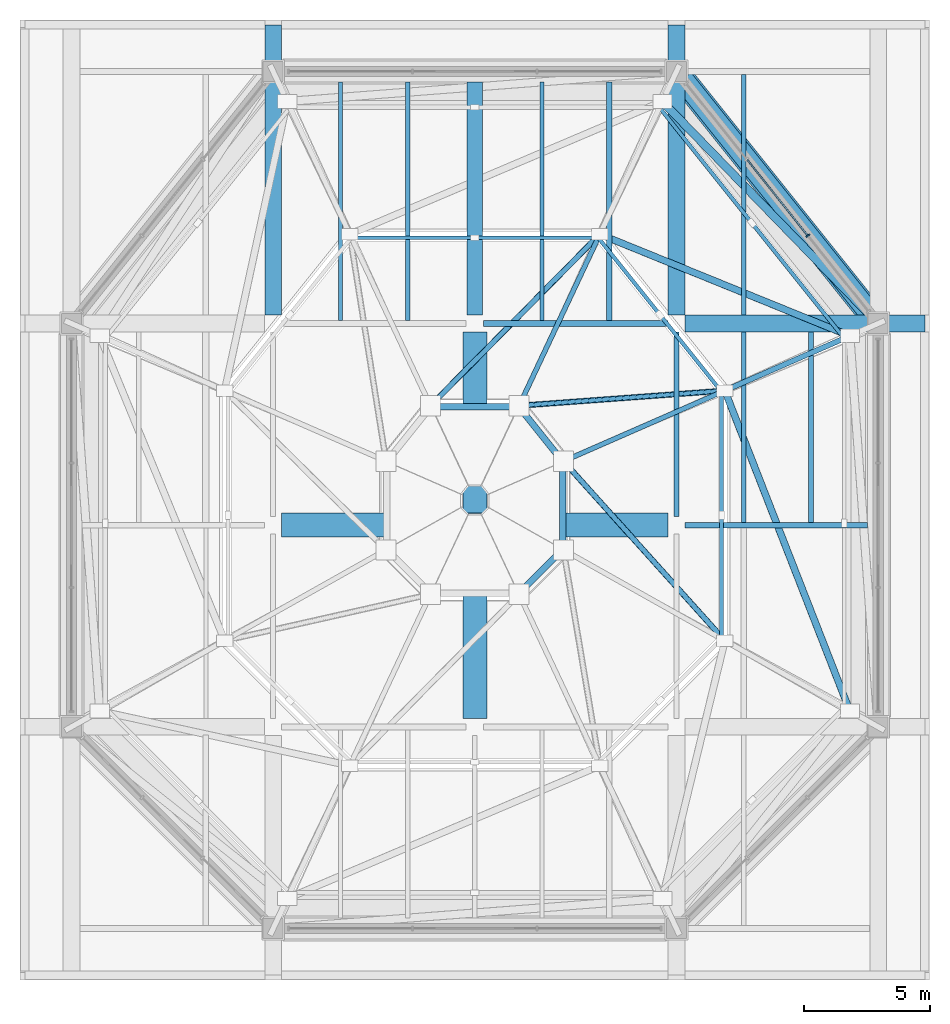
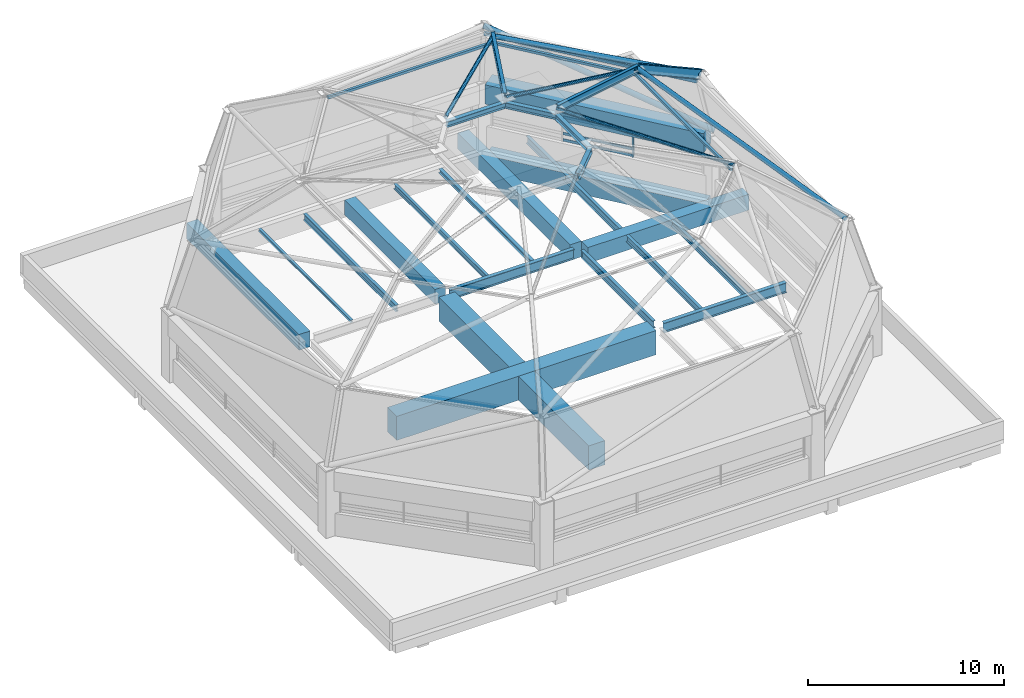
# One storey, part 5 of 10: 22 beams, 17 members, 1 element without a shape of its own.
"""IFC4 building model written with IfcOpenShell, lengths in metres."""

from ifc_helpers import new_model, si_unit, direction, frame, origin, origin_2d, place, context, subcontext, project, spatial, rectangle, hollow_rectangle, hollow_circle, i_section, extrude, material, material_profile, profile_set, type_object, element, aggregate, save


model = new_model("IFC4")

# Units and contexts
model_context = context("Model", 3, precision=1e-05, world=origin(), true_north=direction((0.0, 1.0)))
body_context = subcontext(model_context, "Body", "Model", "MODEL_VIEW")
ifc_project = project(units=[si_unit("LENGTHUNIT", "METRE"), si_unit("AREAUNIT", "SQUARE_METRE"), si_unit("VOLUMEUNIT", "CUBIC_METRE"), si_unit("PLANEANGLEUNIT", "RADIAN"), si_unit("MASSUNIT", "GRAM", prefix="KILO")], contexts=[model_context])

# Site, building, storey
site_placement = place(None, origin())
site = spatial("IfcSite", under=ifc_project, at=site_placement, CompositionType="ELEMENT")
building_placement = place(site_placement, origin())
building = spatial("IfcBuilding", under=site, at=building_placement, Name="Pecanmere Concourse Central Library", CompositionType="ELEMENT")
storey_placement = place(building_placement, frame((0.0, 0.0, 34.800048828125)))
storey = spatial("IfcBuildingStorey", under=building, at=storey_placement, Name="ROOF", CompositionType="ELEMENT", Elevation=34.800048828125)

# Curtain wall, members
ifc_material_1 = material(Name="Anodized bronze aluminium alloy 6063-T6", Category="aluminium")
curtain_wall_type = type_object("IfcCurtainWallType", Name="CW_PORTAL_CLEAR", PredefinedType="USERDEFINED", material=ifc_material_1)
curtain_wall_placement = place(storey_placement, origin())
curtain_wall = element("IfcCurtainWall", 1, at=curtain_wall_placement, inside=storey, type_object=curtain_wall_type, Name="Unitised Curtain Wall CW-03 ROOF-176", ObjectType="UNITISED CURTAIN WALL", PredefinedType="USERDEFINED")
ifc_material_2 = material(Name="Anodized bronze aluminium alloy 6063-T6", Category="aluminium")
ifc_material_profile_1 = material_profile(ifc_material_2, rectangle(XDim=0.06494140625, YDim=0.179931640625, at=origin_2d()), Name="AL 65x180")
ifc_profile_set_1 = profile_set([ifc_material_profile_1], Name="Anodized bronze aluminium alloy 6063-T6")
member_type_1 = type_object("IfcMemberType", Name="CWM_180x65", PredefinedType="MULLION", material=ifc_profile_set_1)
member_1_placement = place(storey_placement, frame((101.212646484375, 117.484375, 1.419921875), z_axis=(0.0, 0.0, 1.0), x_axis=(-0.62469714181, 0.780867134034, 0.0)))
member_1 = element("IfcMember", 2, at=member_1_placement, type_object=member_type_1, Name="CW-03 Mullion 2", PredefinedType="MULLION", context=body_context, shape_type="SweptSolid", body=[
    extrude(rectangle(XDim=0.06494140625, YDim=0.179931640625, at=origin_2d()), origin(), (0.0, 0.0, 1.0), 1.580078125),
])
ifc_material_3 = material(Name="Anodized bronze aluminium alloy 6063-T6", Category="aluminium")
ifc_material_profile_2 = material_profile(ifc_material_3, rectangle(XDim=0.06005859375, YDim=0.159912109375, at=origin_2d()), Name="AL 60x160")
ifc_profile_set_2 = profile_set([ifc_material_profile_2], Name="Anodized bronze aluminium alloy 6063-T6")
member_type_2 = type_object("IfcMemberType", Name="CWT_160x60", PredefinedType="USERDEFINED", material=ifc_profile_set_2)
member_2_placement = place(storey_placement, frame((101.1923828125, 117.509765625, 1.5), z_axis=(-0.624757445177, 0.780818887256, 0.0), x_axis=(-0.780818887256, -0.624757445177, 0.0)))
member_2 = element("IfcMember", 3, at=member_2_placement, type_object=member_type_2, Name="CW-03 Transom 2.1", ObjectType="TRANSOM", PredefinedType="USERDEFINED", context=body_context, shape_type="SweptSolid", body=[
    extrude(rectangle(XDim=0.06005859375, YDim=0.159912109375, at=origin_2d()), origin(), (0.0, 0.0, 1.0), 3.817138671875),
])
member_3_placement = place(storey_placement, frame((101.1923828125, 117.509765625, 1.89990234375), z_axis=(-0.624757445177, 0.780818887256, 0.0), x_axis=(-0.780818887256, -0.624757445177, 0.0)))
member_3 = element("IfcMember", 4, at=member_3_placement, type_object=member_type_2, Name="CW-03 Transom 2.2", ObjectType="TRANSOM", PredefinedType="USERDEFINED", context=body_context, shape_type="SweptSolid", body=[
    extrude(rectangle(XDim=0.06005859375, YDim=0.159912109375, at=origin_2d()), origin(), (0.0, 0.0, 1.0), 3.817138671875),
])
member_4_placement = place(storey_placement, frame((101.1923828125, 117.509765625, 2.919921875), z_axis=(-0.624757445177, 0.780818887256, 0.0), x_axis=(-0.780818887256, -0.624757445177, 0.0)))
member_4 = element("IfcMember", 5, at=member_4_placement, type_object=member_type_2, Name="CW-03 Transom 2.3", ObjectType="TRANSOM", PredefinedType="USERDEFINED", context=body_context, shape_type="SweptSolid", body=[
    extrude(rectangle(XDim=0.06005859375, YDim=0.159912109375, at=origin_2d()), origin(), (0.0, 0.0, 1.0), 3.817138671875),
])
aggregate(curtain_wall, [member_1, member_2, member_3, member_4])

# Beams
ifc_material_4 = material(Name="Concrete C40/50", Category="concrete")
ifc_material_profile_3 = material_profile(ifc_material_4, rectangle(XDim=0.6201171875, YDim=0.919921875, at=origin_2d()), Name="RC 620x920")
ifc_profile_set_3 = profile_set([ifc_material_profile_3], Name="Concrete C40/50")
beam_type_1 = type_object("IfcBeamType", Name="GRD_620x920", PredefinedType="USERDEFINED", material=ifc_profile_set_3)
beam_1_placement = place(storey_placement, frame((88.0, 114.340087890625, -0.699951171875), z_axis=(0.0, 1.0, 0.0), x_axis=(-1.0, 0.0, 0.0)))
element("IfcBeam", 6, at=beam_1_placement, inside=storey, type_object=beam_type_1, Name="Primary Girder Y ROOF-2879", ObjectType="GIRDER", PredefinedType="USERDEFINED", context=body_context, shape_type="SweptSolid", body=[
    extrude(rectangle(XDim=0.6201171875, YDim=0.919921875, at=origin_2d()), origin(), (0.0, 0.0, 1.0), 9.23486328125),
])
ifc_material_5 = material(Name="Concrete C40/50", Category="concrete")
ifc_material_profile_4 = material_profile(ifc_material_5, rectangle(XDim=0.659912109375, YDim=0.97998046875, at=origin_2d()), Name="RC 660x980")
ifc_profile_set_4 = profile_set([ifc_material_profile_4], Name="Concrete C40/50")
beam_type_2 = type_object("IfcBeamType", Name="GRD_660x980", PredefinedType="USERDEFINED", material=ifc_profile_set_4)
beam_2_placement = place(storey_placement, frame((96.340087890625, 114.0, -0.72998046875), z_axis=(1.0, 0.0, 0.0), x_axis=(0.0, 1.0, 0.0)))
element("IfcBeam", 7, at=beam_2_placement, inside=storey, type_object=beam_type_2, Name="Primary Girder X ROOF-2868", ObjectType="GIRDER", PredefinedType="USERDEFINED", context=body_context, shape_type="SweptSolid", body=[
    extrude(rectangle(XDim=0.659912109375, YDim=0.97998046875, at=origin_2d()), origin(), (0.0, 0.0, 1.0), 9.511474609375),
])
for number, where, z_axis, x_axis, name in (
    (8, (80.0, 114.340087890625, -0.72998046875), (0.0, 1.0, 0.0), (-1.0, 0.0, 0.0), "Primary Girder Y ROOF-2876"),
    (9, (96.0, 114.340087890625, -0.72998046875), (0.0, 1.0, 0.0), (-1.0, 0.0, 0.0), "Primary Girder Y ROOF-2883"),
):
    element("IfcBeam", number, at=place(storey_placement, frame(where, z_axis=z_axis, x_axis=x_axis)), inside=storey, type_object=beam_type_2, Name=name, ObjectType="GIRDER", PredefinedType="USERDEFINED", context=body_context, shape_type="SweptSolid", body=[
        extrude(rectangle(XDim=0.659912109375, YDim=0.97998046875, at=origin_2d()), origin(), (0.0, 0.0, 1.0), 11.511474609375),
    ])

# Members
ifc_material_6 = material(Name="Structural steel ASTM A500 Grade C", Category="steel")
ifc_material_profile_5 = material_profile(ifc_material_6, hollow_circle(Radius=0.162109375, WallThickness=0.0126953125, at=origin_2d()), Name="HSS323.9x12.7")
ifc_profile_set_5 = profile_set([ifc_material_profile_5], Name="Structural steel ASTM A500 Grade C")
member_type_3 = type_object("IfcMemberType", Name="MEM_BRACE_1", PredefinedType="BRACE", material=ifc_profile_set_5)
member_5_placement = place(storey_placement, frame((104.0, 114.0, 4.199951171875), z_axis=(-0.659380985534, 0.678638475957, 0.323522077866), x_axis=(-0.717209560135, -0.696857551334, 0.0)))
element("IfcMember", 10, at=member_5_placement, inside=storey, type_object=member_type_3, Name="Dome Lower Wind Brace 4", PredefinedType="BRACE", context=body_context, shape_type="SweptSolid", body=[
    extrude(hollow_circle(Radius=0.162109375, WallThickness=0.0126953125, at=origin_2d()), origin(), (0.0, 0.0, 1.0), 12.98193359375),
])
ifc_material_7 = material(Name="Structural steel ASTM A500 Grade C", Category="steel")
ifc_material_profile_6 = material_profile(ifc_material_7, hollow_circle(Radius=0.136474609375, WallThickness=0.0126953125, at=origin_2d()), Name="HSS273.1x12.7")
ifc_profile_set_6 = profile_set([ifc_material_profile_6], Name="Structural steel ASTM A500 Grade C")
member_type_4 = type_object("IfcMemberType", Name="MEM_BRACE_2", PredefinedType="BRACE", material=ifc_profile_set_6)
member_6_placement = place(storey_placement, frame((102.8798828125, 98.6298828125, 8.39990234375), z_axis=(-0.352746137319, 0.903933680595, 0.241814109788), x_axis=(-0.931580575617, -0.363534910475, 0.0)))
element("IfcMember", 11, at=member_6_placement, inside=storey, type_object=member_type_4, Name="Dome Upper Wind Brace 3", PredefinedType="BRACE", context=body_context, shape_type="SweptSolid", body=[
    extrude(hollow_circle(Radius=0.136474609375, WallThickness=0.0126953125, at=origin_2d()), origin(), (0.0, 0.0, 1.0), 14.06103515625),
])
member_7_placement = place(storey_placement, frame((102.8798828125, 113.510009765625, 8.39990234375), z_axis=(-0.883011908572, 0.358729020841, 0.302660633262), x_axis=(-0.376381939781, -0.926464589397, 0.0)))
element("IfcMember", 12, at=member_7_placement, inside=storey, type_object=member_type_4, Name="Dome Upper Wind Brace 4", PredefinedType="BRACE", context=body_context, shape_type="SweptSolid", body=[
    extrude(hollow_circle(Radius=0.136474609375, WallThickness=0.0126953125, at=origin_2d()), origin(), (0.0, 0.0, 1.0), 11.234130859375),
])
ifc_material_8 = material(Name="Structural steel ASTM A500 Grade C", Category="steel")
ifc_material_profile_7 = material_profile(ifc_material_8, hollow_circle(Radius=0.109619140625, WallThickness=0.009521484375, at=origin_2d()), Name="HSS219.1x9.5")
ifc_profile_set_7 = profile_set([ifc_material_profile_7], Name="Structural steel ASTM A500 Grade C")
member_type_5 = type_object("IfcMemberType", Name="MEM_BRACE_3", PredefinedType="BRACE", material=ifc_profile_set_7)
member_8_placement = place(storey_placement, frame((97.919921875, 101.419921875, 11.800048828125), z_axis=(-0.661257751432, 0.735672581932, 0.146710730233), x_axis=(-0.743720050445, -0.668491201562, 0.0)))
element("IfcMember", 13, at=member_8_placement, inside=storey, type_object=member_type_5, Name="Dome Oculus Wind Brace 3", PredefinedType="BRACE", context=body_context, shape_type="SweptSolid", body=[
    extrude(hollow_circle(Radius=0.109619140625, WallThickness=0.009521484375, at=origin_2d()), origin(), (0.0, 0.0, 1.0), 9.678466796875),
])
member_9_placement = place(storey_placement, frame((97.919921875, 111.340087890625, 11.800048828125), z_axis=(-0.982619555758, -0.072263975946, 0.170987503704), x_axis=(0.073344100027, -0.997306694548, 0.0)))
element("IfcMember", 14, at=member_9_placement, inside=storey, type_object=member_type_5, Name="Dome Oculus Wind Brace 4", PredefinedType="BRACE", context=body_context, shape_type="SweptSolid", body=[
    extrude(hollow_circle(Radius=0.109619140625, WallThickness=0.009521484375, at=origin_2d()), origin(), (0.0, 0.0, 1.0), 8.30419921875),
])
member_10_placement = place(storey_placement, frame((92.9599609375, 117.5400390625, 11.800048828125), z_axis=(-0.695279497279, -0.703564753414, 0.146911736827), x_axis=(0.711282448756, -0.702906308189, 0.0)))
element("IfcMember", 15, at=member_10_placement, inside=storey, type_object=member_type_5, Name="Dome Oculus Wind Brace 5", PredefinedType="BRACE", context=body_context, shape_type="SweptSolid", body=[
    extrude(hollow_circle(Radius=0.109619140625, WallThickness=0.009521484375, at=origin_2d()), origin(), (0.0, 0.0, 1.0), 9.6650390625),
])
ifc_material_9 = material(Name="Structural steel ASTM A992 Grade 50", Category="steel")
ifc_material_profile_8 = material_profile(ifc_material_9, i_section(OverallWidth=0.2109375, OverallDepth=0.5390625, WebThickness=0.01171875, FlangeThickness=0.018798828125, at=origin_2d()), Name="W530x109")
ifc_profile_set_8 = profile_set([ifc_material_profile_8], Name="Structural steel ASTM A992 Grade 50")
member_type_6 = type_object("IfcMemberType", Name="MEM_DOME_RIB_2", PredefinedType="USERDEFINED", material=ifc_profile_set_8)
member_11_placement = place(storey_placement, frame((102.8798828125, 113.510009765625, 8.39990234375), z_axis=(-0.775839431615, -0.339420204184, 0.531852518414), x_axis=(0.400809371323, -0.916161474774, 0.0)))
element("IfcMember", 16, at=member_11_placement, inside=storey, type_object=member_type_6, Name="Octagonal Dome Arch Rib 4 Tier 2", ObjectType="ARCH_SEGMENT", PredefinedType="USERDEFINED", context=body_context, shape_type="SweptSolid", body=[
    extrude(i_section(OverallWidth=0.2109375, OverallDepth=0.5390625, WebThickness=0.01171875, FlangeThickness=0.018798828125, at=origin_2d()), origin(), (0.0, 0.0, 1.0), 6.39306640625),
])
ifc_material_10 = material(Name="Structural steel ASTM A992 Grade 50", Category="steel")
ifc_material_profile_9 = material_profile(ifc_material_10, i_section(OverallWidth=0.194091796875, OverallDepth=0.468994140625, WebThickness=0.0126953125, FlangeThickness=0.0205078125, at=origin_2d()), Name="W460x106")
ifc_profile_set_9 = profile_set([ifc_material_profile_9], Name="Structural steel ASTM A992 Grade 50")
member_type_7 = type_object("IfcMemberType", Name="MEM_DOME_RIB_3", PredefinedType="USERDEFINED", material=ifc_profile_set_9)
member_12_placement = place(storey_placement, frame((97.919921875, 111.340087890625, 11.800048828125), z_axis=(-0.897793632222, -0.392797557334, 0.199190042153), x_axis=(0.400829834325, -0.91615252219, 0.0)))
element("IfcMember", 17, at=member_12_placement, inside=storey, type_object=member_type_7, Name="Octagonal Dome Arch Rib 4 Tier 3", ObjectType="ARCH_SEGMENT", PredefinedType="USERDEFINED", context=body_context, shape_type="SweptSolid", body=[
    extrude(i_section(OverallWidth=0.194091796875, OverallDepth=0.468994140625, WebThickness=0.0126953125, FlangeThickness=0.0205078125, at=origin_2d()), origin(), (0.0, 0.0, 1.0), 7.12841796875),
])
member_13_placement = place(storey_placement, frame((92.9599609375, 117.5400390625, 11.800048828125), z_axis=(-0.418387114144, -0.889092568112, 0.185651900195), x_axis=(0.904822383259, -0.425789213994, 0.0)))
element("IfcMember", 18, at=member_13_placement, inside=storey, type_object=member_type_7, Name="Octagonal Dome Arch Rib 5 Tier 3", ObjectType="ARCH_SEGMENT", PredefinedType="USERDEFINED", context=body_context, shape_type="SweptSolid", body=[
    extrude(i_section(OverallWidth=0.194091796875, OverallDepth=0.468994140625, WebThickness=0.0126953125, FlangeThickness=0.0205078125, at=origin_2d()), origin(), (0.0, 0.0, 1.0), 7.648193359375),
])
ifc_material_11 = material(Name="Structural steel ASTM A500 Grade C", Category="steel")
ifc_material_profile_10 = material_profile(ifc_material_11, hollow_rectangle(XDim=0.152099609375, YDim=0.202880859375, WallThickness=0.009521484375, at=origin_2d()), Name="HSS203x152x9.5")
ifc_profile_set_10 = profile_set([ifc_material_profile_10], Name="Structural steel ASTM A500 Grade C")
member_type_8 = type_object("IfcMemberType", Name="MEM_PURLIN_1", PredefinedType="PURLIN", material=ifc_profile_set_10)
member_14_placement = place(storey_placement, frame((102.656005859375, 113.412109375, 8.099853515625), z_axis=(-0.624705199895, 0.780860687462, 0.0), x_axis=(-0.780860687462, -0.624705199895, 0.0)))
element("IfcMember", 19, at=member_14_placement, inside=storey, type_object=member_type_8, Name="Dome Octagonal Purlin Ring 1.4", PredefinedType="PURLIN", context=body_context, shape_type="SweptSolid", body=[
    extrude(hollow_rectangle(XDim=0.152099609375, YDim=0.202880859375, WallThickness=0.009521484375, at=origin_2d()), origin(), (0.0, 0.0, 1.0), 11.73046875),
])
ifc_material_12 = material(Name="Structural steel ASTM A500 Grade C", Category="steel")
ifc_material_profile_11 = material_profile(ifc_material_12, hollow_rectangle(XDim=0.152099609375, YDim=0.152099609375, WallThickness=0.008056640625, at=origin_2d()), Name="HSS152x152x8.0")
ifc_profile_set_11 = profile_set([ifc_material_profile_11], Name="Structural steel ASTM A500 Grade C")
member_type_9 = type_object("IfcMemberType", Name="MEM_PURLIN_4", PredefinedType="PURLIN", material=ifc_profile_set_11)
member_15_placement = place(storey_placement, frame((97.7919921875, 101.491943359375, 11.5), z_axis=(0.0, 1.0, 0.0), x_axis=(-1.0, 0.0, 0.0)))
element("IfcMember", 20, at=member_15_placement, inside=storey, type_object=member_type_9, Name="Dome Octagonal Purlin Ring 2.3", PredefinedType="PURLIN", context=body_context, shape_type="SweptSolid", body=[
    extrude(hollow_rectangle(XDim=0.152099609375, YDim=0.152099609375, WallThickness=0.008056640625, at=origin_2d()), origin(), (0.0, 0.0, 1.0), 9.7919921875),
])
member_16_placement = place(storey_placement, frame((97.7919921875, 111.283935546875, 11.5), z_axis=(-0.624687449899, 0.780874887507, 0.0), x_axis=(-0.780874887507, -0.624687449899, 0.0)))
element("IfcMember", 21, at=member_16_placement, inside=storey, type_object=member_type_9, Name="Dome Octagonal Purlin Ring 2.4", PredefinedType="PURLIN", context=body_context, shape_type="SweptSolid", body=[
    extrude(hollow_rectangle(XDim=0.152099609375, YDim=0.152099609375, WallThickness=0.008056640625, at=origin_2d()), origin(), (0.0, 0.0, 1.0), 7.83740234375),
])
member_17_placement = place(storey_placement, frame((92.89599609375, 117.404052734375, 11.5), z_axis=(-1.0, 0.0, 0.0), x_axis=(0.0, -1.0, 0.0)))
element("IfcMember", 22, at=member_17_placement, inside=storey, type_object=member_type_9, Name="Dome Octagonal Purlin Ring 2.5", PredefinedType="PURLIN", context=body_context, shape_type="SweptSolid", body=[
    extrude(hollow_rectangle(XDim=0.152099609375, YDim=0.152099609375, WallThickness=0.008056640625, at=origin_2d()), origin(), (0.0, 0.0, 1.0), 9.7919921875),
])

# Beams
ifc_material_13 = material(Name="Concrete C40/50", Category="concrete")
ifc_material_profile_12 = material_profile(ifc_material_13, rectangle(XDim=1.0, YDim=1.199951171875, at=origin_2d()), Name="RC 1000x1200")
ifc_profile_set_12 = profile_set([ifc_material_profile_12], Name="Concrete C40/50")
beam_type_3 = type_object("IfcBeamType", Name="RB_1000x1200", PredefinedType="BEAM", material=ifc_profile_set_12)
beam_3_placement = place(storey_placement, frame((103.75, 114.312255859375, 3.599853515625), z_axis=(-0.624675208836, 0.780884680004, 0.0), x_axis=(-0.780884680004, -0.624675208836, 0.0)))
element("IfcBeam", 23, at=beam_3_placement, inside=storey, type_object=beam_type_3, Name="Dome Tension Ring Beam Segment 4", PredefinedType="BEAM", context=body_context, shape_type="SweptSolid", body=[
    extrude(rectangle(XDim=1.0, YDim=1.199951171875, at=origin_2d()), origin(), (0.0, 0.0, 1.0), 12.00634765625),
])
ifc_material_14 = material(Name="Concrete C40/50", Category="concrete")
ifc_material_profile_13 = material_profile(ifc_material_14, rectangle(XDim=0.85009765625, YDim=1.10009765625, at=origin_2d()), Name="RC 850x1100")
ifc_profile_set_13 = profile_set([ifc_material_profile_13], Name="Concrete C40/50")
beam_type_4 = type_object("IfcBeamType", Name="RB_850x1100", PredefinedType="BEAM", material=ifc_profile_set_13)
beam_4_placement = place(storey_placement, frame((103.75, 114.312255859375, -0.7900390625), z_axis=(-0.624675208836, 0.780884680004, 0.0), x_axis=(-0.780884680004, -0.624675208836, 0.0)))
element("IfcBeam", 24, at=beam_4_placement, inside=storey, type_object=beam_type_4, Name="Drum Base Ring Girder Segment 4", PredefinedType="BEAM", context=body_context, shape_type="SweptSolid", body=[
    extrude(rectangle(XDim=0.85009765625, YDim=1.10009765625, at=origin_2d()), origin(), (0.0, 0.0, 1.0), 12.00634765625),
])
ifc_material_15 = material(Name="Structural steel ASTM A992 Grade 50", Category="steel")
ifc_material_profile_14 = material_profile(ifc_material_15, i_section(OverallWidth=0.152099609375, OverallDepth=0.152099609375, WebThickness=0.005859375, FlangeThickness=0.006591796875, at=origin_2d()), Name="W150x22.5")
ifc_profile_set_14 = profile_set([ifc_material_profile_14], Name="Structural steel ASTM A992 Grade 50")
beam_type_5 = type_object("IfcBeamType", Name="SBM_W150x22", PredefinedType="LINTEL", material=ifc_profile_set_14)
beam_5_placement = place(storey_placement, frame((82.666748046875, 114.114990234375, -0.316162109375), z_axis=(0.0, 1.0, 0.0), x_axis=(-1.0, 0.0, 0.0)))
element("IfcBeam", 25, at=beam_5_placement, inside=storey, type_object=beam_type_5, Name="Secondary Floor Joist ROOF-2905", PredefinedType="LINTEL", context=body_context, shape_type="SweptSolid", body=[
    extrude(i_section(OverallWidth=0.152099609375, OverallDepth=0.152099609375, WebThickness=0.005859375, FlangeThickness=0.006591796875, at=origin_2d()), origin(), (0.0, 0.0, 1.0), 9.4599609375),
])
ifc_material_16 = material(Name="Structural steel ASTM A992 Grade 50", Category="steel")
ifc_material_profile_15 = material_profile(ifc_material_16, i_section(OverallWidth=0.201904296875, OverallDepth=0.2470703125, WebThickness=0.00732421875, FlangeThickness=0.010986328125, at=origin_2d()), Name="W250x49.1")
ifc_profile_set_15 = profile_set([ifc_material_profile_15], Name="Structural steel ASTM A992 Grade 50")
beam_type_6 = type_object("IfcBeamType", Name="SBM_W250x49", PredefinedType="JOIST", material=ifc_profile_set_15)
beam_6_placement = place(storey_placement, frame((93.333251953125, 114.114990234375, -0.363525390625), z_axis=(0.0, 1.0, 0.0), x_axis=(-1.0, 0.0, 0.0)))
element("IfcBeam", 26, at=beam_6_placement, inside=storey, type_object=beam_type_6, Name="Secondary Floor Joist ROOF-2910", PredefinedType="JOIST", context=body_context, shape_type="SweptSolid", body=[
    extrude(i_section(OverallWidth=0.201904296875, OverallDepth=0.2470703125, WebThickness=0.00732421875, FlangeThickness=0.010986328125, at=origin_2d()), origin(), (0.0, 0.0, 1.0), 9.4599609375),
])
ifc_material_17 = material(Name="Structural steel ASTM A992 Grade 50", Category="steel")
ifc_material_profile_16 = material_profile(ifc_material_17, i_section(OverallWidth=0.1669921875, OverallDepth=0.31689453125, WebThickness=0.007568359375, FlangeThickness=0.01318359375, at=origin_2d()), Name="W310x52")
ifc_profile_set_16 = profile_set([ifc_material_profile_16], Name="Structural steel ASTM A992 Grade 50")
beam_type_7 = type_object("IfcBeamType", Name="SBM_W310x52", PredefinedType="JOIST", material=ifc_profile_set_16)
beam_7_placement = place(storey_placement, frame((90.666748046875, 114.114990234375, -0.3984375), z_axis=(0.0, 1.0, 0.0), x_axis=(-1.0, 0.0, 0.0)))
element("IfcBeam", 27, at=beam_7_placement, inside=storey, type_object=beam_type_7, Name="Secondary Floor Joist ROOF-2909", PredefinedType="JOIST", context=body_context, shape_type="SweptSolid", body=[
    extrude(i_section(OverallWidth=0.1669921875, OverallDepth=0.31689453125, WebThickness=0.007568359375, FlangeThickness=0.01318359375, at=origin_2d()), origin(), (0.0, 0.0, 1.0), 9.4599609375),
])
ifc_material_18 = material(Name="Structural steel ASTM A992 Grade 50", Category="steel")
ifc_material_profile_17 = material_profile(ifc_material_18, i_section(OverallWidth=0.202880859375, OverallDepth=0.346923828125, WebThickness=0.0078125, FlangeThickness=0.013427734375, at=origin_2d()), Name="W360x64")
ifc_profile_set_17 = profile_set([ifc_material_profile_17], Name="Structural steel ASTM A992 Grade 50")
beam_type_8 = type_object("IfcBeamType", Name="SBM_W360x64", PredefinedType="JOIST", material=ifc_profile_set_17)
beam_8_placement = place(storey_placement, frame((101.333251953125, 106.114990234375, -0.41357421875), z_axis=(0.0, 1.0, 0.0), x_axis=(-1.0, 0.0, 0.0)))
element("IfcBeam", 28, at=beam_8_placement, inside=storey, type_object=beam_type_8, Name="Secondary Floor Joist ROOF-2914", PredefinedType="JOIST", context=body_context, shape_type="SweptSolid", body=[
    extrude(i_section(OverallWidth=0.202880859375, OverallDepth=0.346923828125, WebThickness=0.0078125, FlangeThickness=0.013427734375, at=origin_2d()), origin(), (0.0, 0.0, 1.0), 7.554931640625),
])
ifc_material_19 = material(Name="Structural steel ASTM A992 Grade 50", Category="steel")
ifc_material_profile_18 = material_profile(ifc_material_19, i_section(OverallWidth=0.25390625, OverallDepth=0.35302734375, WebThickness=0.009521484375, FlangeThickness=0.016357421875, at=origin_2d()), Name="W360x91")
ifc_profile_set_18 = profile_set([ifc_material_profile_18], Name="Structural steel ASTM A992 Grade 50")
beam_type_9 = type_object("IfcBeamType", Name="SBM_W360x91", PredefinedType="BEAM", material=ifc_profile_set_18)
beam_9_placement = place(storey_placement, frame((89.743896484375, 103.2939453125, 12.820068359375), z_axis=(0.707106781187, 0.707106781187, 0.0), x_axis=(-0.707106781187, 0.707106781187, 0.0)))
element("IfcBeam", 29, at=beam_9_placement, inside=storey, type_object=beam_type_9, Name="Dome Oculus Compression Ring 2", PredefinedType="BEAM", context=body_context, shape_type="SweptSolid", body=[
    extrude(i_section(OverallWidth=0.25390625, OverallDepth=0.35302734375, WebThickness=0.009521484375, FlangeThickness=0.016357421875, at=origin_2d()), origin(), (0.0, 0.0, 1.0), 2.466552734375),
])
beam_10_placement = place(storey_placement, frame((91.488037109375, 105.0380859375, 12.820068359375), z_axis=(0.0, 1.0, 0.0), x_axis=(-1.0, 0.0, 0.0)))
element("IfcBeam", 30, at=beam_10_placement, inside=storey, type_object=beam_type_9, Name="Dome Oculus Compression Ring 3", PredefinedType="BEAM", context=body_context, shape_type="SweptSolid", body=[
    extrude(i_section(OverallWidth=0.25390625, OverallDepth=0.35302734375, WebThickness=0.009521484375, FlangeThickness=0.016357421875, at=origin_2d()), origin(), (0.0, 0.0, 1.0), 3.48779296875),
])
beam_11_placement = place(storey_placement, frame((91.488037109375, 108.52587890625, 12.820068359375), z_axis=(-0.624695047554, 0.780868809443, 0.0), x_axis=(-0.780868809443, -0.624695047554, 0.0)))
element("IfcBeam", 31, at=beam_11_placement, inside=storey, type_object=beam_type_9, Name="Dome Oculus Compression Ring 4", PredefinedType="BEAM", context=body_context, shape_type="SweptSolid", body=[
    extrude(i_section(OverallWidth=0.25390625, OverallDepth=0.35302734375, WebThickness=0.009521484375, FlangeThickness=0.016357421875, at=origin_2d()), origin(), (0.0, 0.0, 1.0), 2.7919921875),
])
beam_12_placement = place(storey_placement, frame((89.743896484375, 110.7060546875, 12.820068359375), z_axis=(-1.0, 0.0, 0.0), x_axis=(0.0, -1.0, 0.0)))
element("IfcBeam", 32, at=beam_12_placement, inside=storey, type_object=beam_type_9, Name="Dome Oculus Compression Ring 5", PredefinedType="BEAM", context=body_context, shape_type="SweptSolid", body=[
    extrude(i_section(OverallWidth=0.25390625, OverallDepth=0.35302734375, WebThickness=0.009521484375, FlangeThickness=0.016357421875, at=origin_2d()), origin(), (0.0, 0.0, 1.0), 3.48779296875),
])
ifc_material_20 = material(Name="Structural steel ASTM A992 Grade 50", Category="steel")
ifc_material_profile_19 = material_profile(ifc_material_20, i_section(OverallWidth=0.177978515625, OverallDepth=0.406982421875, WebThickness=0.0078125, FlangeThickness=0.0126953125, at=origin_2d()), Name="W410x60")
ifc_profile_set_19 = profile_set([ifc_material_profile_19], Name="Structural steel ASTM A992 Grade 50")
beam_type_10 = type_object("IfcBeamType", Name="SBM_W410x60", PredefinedType="JOIST", material=ifc_profile_set_19)
beam_13_placement = place(storey_placement, frame((85.333251953125, 114.114990234375, -0.443603515625), z_axis=(0.0, 1.0, 0.0), x_axis=(-1.0, 0.0, 0.0)))
element("IfcBeam", 33, at=beam_13_placement, inside=storey, type_object=beam_type_10, Name="Secondary Floor Joist ROOF-2906", PredefinedType="JOIST", context=body_context, shape_type="SweptSolid", body=[
    extrude(i_section(OverallWidth=0.177978515625, OverallDepth=0.406982421875, WebThickness=0.0078125, FlangeThickness=0.0126953125, at=origin_2d()), origin(), (0.0, 0.0, 1.0), 9.4599609375),
])
beam_14_placement = place(storey_placement, frame((98.666748046875, 106.114990234375, -0.443603515625), z_axis=(0.0, 1.0, 0.0), x_axis=(-1.0, 0.0, 0.0)))
element("IfcBeam", 34, at=beam_14_placement, inside=storey, type_object=beam_type_10, Name="Secondary Floor Joist ROOF-2913", PredefinedType="JOIST", context=body_context, shape_type="SweptSolid", body=[
    extrude(i_section(OverallWidth=0.177978515625, OverallDepth=0.406982421875, WebThickness=0.0078125, FlangeThickness=0.0126953125, at=origin_2d()), origin(), (0.0, 0.0, 1.0), 7.554931640625),
])
ifc_material_21 = material(Name="Structural steel ASTM A992 Grade 50", Category="steel")
ifc_material_profile_20 = material_profile(ifc_material_21, i_section(OverallWidth=0.194091796875, OverallDepth=0.468994140625, WebThickness=0.0126953125, FlangeThickness=0.0205078125, at=origin_2d()), Name="W460x106")
ifc_profile_set_20 = profile_set([ifc_material_profile_20], Name="Structural steel ASTM A992 Grade 50")
beam_type_11 = type_object("IfcBeamType", Name="SBM_W460x106", PredefinedType="USERDEFINED", material=ifc_profile_set_20)
beam_15_placement = place(storey_placement, frame((96.0, 106.340087890625, -0.474609375), z_axis=(0.0, 1.0, 0.0), x_axis=(-1.0, 0.0, 0.0)))
element("IfcBeam", 35, at=beam_15_placement, inside=storey, type_object=beam_type_11, Name="Primary Girder Y ROOF-2882", ObjectType="GIRDER", PredefinedType="USERDEFINED", context=body_context, shape_type="SweptSolid", body=[
    extrude(i_section(OverallWidth=0.194091796875, OverallDepth=0.468994140625, WebThickness=0.0126953125, FlangeThickness=0.0205078125, at=origin_2d()), origin(), (0.0, 0.0, 1.0), 7.31982421875),
])
ifc_material_22 = material(Name="Structural steel ASTM A992 Grade 50", Category="steel")
ifc_material_profile_21 = material_profile(ifc_material_22, i_section(OverallWidth=0.18994140625, OverallDepth=0.45703125, WebThickness=0.009033203125, FlangeThickness=0.014404296875, at=origin_2d()), Name="W460x74")
ifc_profile_set_21 = profile_set([ifc_material_profile_21], Name="Structural steel ASTM A992 Grade 50")
beam_type_12 = type_object("IfcBeamType", Name="SBM_W460x74", PredefinedType="BEAM", material=ifc_profile_set_21)
beam_16_placement = place(storey_placement, frame((98.666748046875, 114.330078125, -0.468505859375), z_axis=(0.0, 1.0, 0.0), x_axis=(-1.0, 0.0, 0.0)))
element("IfcBeam", 36, at=beam_16_placement, inside=storey, type_object=beam_type_12, Name="Secondary Floor Joist ROOF-2915", PredefinedType="BEAM", context=body_context, shape_type="SweptSolid", body=[
    extrude(i_section(OverallWidth=0.18994140625, OverallDepth=0.45703125, WebThickness=0.009033203125, FlangeThickness=0.014404296875, at=origin_2d()), origin(), (0.0, 0.0, 1.0), 9.554931640625),
])
ifc_material_23 = material(Name="Structural steel ASTM A992 Grade 50", Category="steel")
ifc_material_profile_22 = material_profile(ifc_material_23, i_section(OverallWidth=0.22998046875, OverallDepth=0.616943359375, WebThickness=0.01318359375, FlangeThickness=0.022216796875, at=origin_2d()), Name="W610x140")
ifc_profile_set_22 = profile_set([ifc_material_profile_22], Name="Structural steel ASTM A992 Grade 50")
beam_type_13 = type_object("IfcBeamType", Name="SBM_W610x140", PredefinedType="USERDEFINED", material=ifc_profile_set_22)
beam_17_placement = place(storey_placement, frame((96.340087890625, 106.0, -0.548583984375), z_axis=(1.0, 0.0, 0.0), x_axis=(0.0, 1.0, 0.0)))
element("IfcBeam", 37, at=beam_17_placement, inside=storey, type_object=beam_type_13, Name="Primary Girder X ROOF-2864", ObjectType="GIRDER", PredefinedType="USERDEFINED", context=body_context, shape_type="SweptSolid", body=[
    extrude(i_section(OverallWidth=0.22998046875, OverallDepth=0.616943359375, WebThickness=0.01318359375, FlangeThickness=0.022216796875, at=origin_2d()), origin(), (0.0, 0.0, 1.0), 7.23486328125),
])
beam_18_placement = place(storey_placement, frame((88.340087890625, 114.0, -0.548583984375), z_axis=(1.0, 0.0, 0.0), x_axis=(0.0, 1.0, 0.0)))
element("IfcBeam", 38, at=beam_18_placement, inside=storey, type_object=beam_type_13, Name="Primary Girder X ROOF-2867", ObjectType="GIRDER", PredefinedType="USERDEFINED", context=body_context, shape_type="SweptSolid", body=[
    extrude(i_section(OverallWidth=0.22998046875, OverallDepth=0.616943359375, WebThickness=0.01318359375, FlangeThickness=0.022216796875, at=origin_2d()), origin(), (0.0, 0.0, 1.0), 7.31982421875),
])
ifc_material_24 = material(Name="Concrete C40/50", Category="concrete")
ifc_material_profile_23 = material_profile(ifc_material_24, rectangle(XDim=0.949951171875, YDim=1.5, at=origin_2d()), Name="RC 950x1500")
ifc_profile_set_23 = profile_set([ifc_material_profile_23], Name="Concrete C40/50")
beam_type_14 = type_object("IfcBeamType", Name="TG_950x1500", PredefinedType="USERDEFINED", material=ifc_profile_set_23)
for number, where, z_axis, x_axis, name in (
    (39, (80.340087890625, 106.0, -0.989990234375), (1.0, 0.0, 0.0), (0.0, 1.0, 0.0), "Primary Girder X ROOF-2863"),
    (40, (88.0, 98.340087890625, -0.989990234375), (0.0, 1.0, 0.0), (-1.0, 0.0, 0.0), "Primary Girder Y ROOF-2878"),
):
    element("IfcBeam", number, at=place(storey_placement, frame(where, z_axis=z_axis, x_axis=x_axis)), inside=storey, type_object=beam_type_14, Name=name, ObjectType="GIRDER", PredefinedType="USERDEFINED", context=body_context, shape_type="SweptSolid", body=[
        extrude(rectangle(XDim=0.949951171875, YDim=1.5, at=origin_2d()), origin(), (0.0, 0.0, 1.0), 15.31982421875),
    ])

save(model, "model.ifc")
